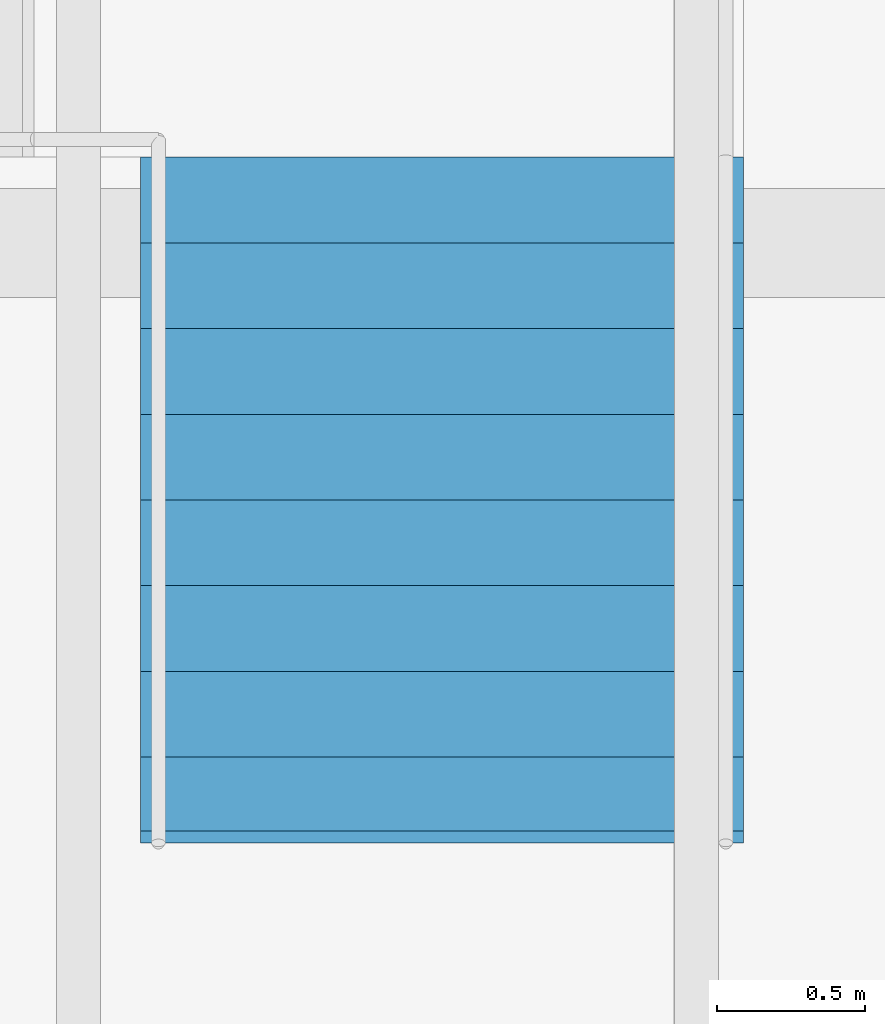
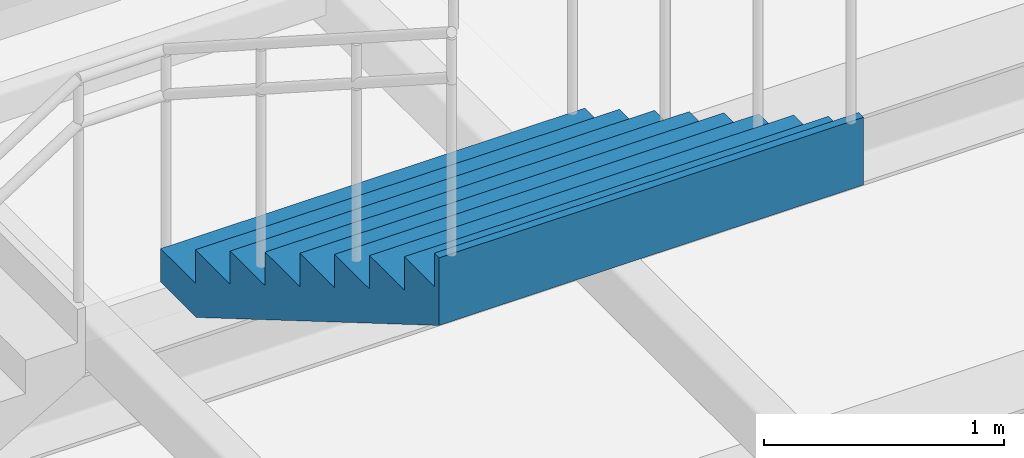
# One storey, part 24 of 32: 1 stair flight, 1 element without a shape of its own.
"""IFC4 building model written with IfcOpenShell, lengths in metres."""

from ifc_helpers import new_model, si_unit, direction, frame, origin, place, context, subcontext, project, spatial, triangles, material, type_object, element, aggregate, save


model = new_model("IFC4")

# Units and contexts
model_context = context("Model", 3, precision=1e-05, world=origin(), true_north=direction((0.0, 1.0)))
body_context = subcontext(model_context, "Body", "Model", "MODEL_VIEW")
ifc_project = project(units=[si_unit("LENGTHUNIT", "METRE"), si_unit("AREAUNIT", "SQUARE_METRE"), si_unit("VOLUMEUNIT", "CUBIC_METRE"), si_unit("PLANEANGLEUNIT", "RADIAN"), si_unit("MASSUNIT", "GRAM", prefix="KILO")], contexts=[model_context])

# Site, building, storey
site_placement = place(None, origin())
site = spatial("IfcSite", under=ifc_project, at=site_placement, CompositionType="ELEMENT")
building_placement = place(site_placement, origin())
building = spatial("IfcBuilding", under=site, at=building_placement, Name="Sillaruma Civic Art Gallery", CompositionType="ELEMENT")
storey_placement = place(building_placement, frame((0.0, 0.0, -4.590087890625)))
storey = spatial("IfcBuildingStorey", under=building, at=storey_placement, Name="B01", CompositionType="ELEMENT", Elevation=-4.590087890625)

# Stair, stair flight
ifc_material = material(Name="Concrete H35 (35 MPa)", Category="concrete")
stair_type = type_object("IfcStairType", Name="STR-3F-27", PredefinedType="TWO_QUARTER_TURN_STAIR", material=ifc_material)
stair_placement = place(storey_placement, origin())
stair = element("IfcStair", 1, at=stair_placement, inside=storey, type_object=stair_type, Name="Monumental Gallery Feature Stair ST-G01 (B01)", PredefinedType="TWO_QUARTER_TURN_STAIR")
stair_flight_type = type_object("IfcStairFlightType", Name="SFL-STR-9", PredefinedType="STRAIGHT", material=ifc_material)
stair_flight_placement = place(storey_placement, frame((43.93994140625, 112.9599609375, 3.06005859375), z_axis=(0.0, 0.0, 1.0), x_axis=(0.0, -1.0, 0.0)))
stair_flight = element("IfcStairFlight", 2, at=stair_flight_placement, type_object=stair_flight_type, Name="ST-G01 flight 3", NumberOfRisers=9, NumberOfTreads=8, PredefinedType="STRAIGHT", RiserHeight=0.17, TreadLength=0.29, context=body_context, shape_type="Tessellation", body=[
    triangles([(0.0, -1.02001953125, 0.0), (0.29, -1.02001953125, 0.0), (0.296482, -1.02001953125, 0.0), (0.58, -1.02001953125, 0.1662), (0.87, -1.02001953125, 0.3362), (1.16, -1.02001953125, 0.5062), (1.45, -1.02001953125, 0.6762), (1.74, -1.02001953125, 0.8462), (2.03, -1.02001953125, 1.0162), (2.280068, -1.02001953125, 1.162792), (2.320068, -1.02001953125, 1.18624), (2.320068, -1.02001953125, 1.53), (2.280068, -1.02001953125, 1.53), (2.280068, -1.02001953125, 1.36), (2.03, -1.02001953125, 1.36), (2.03, -1.02001953125, 1.19), (1.74, -1.02001953125, 1.19), (1.74, -1.02001953125, 1.02), (1.45, -1.02001953125, 1.02), (1.45, -1.02001953125, 0.85), (1.16, -1.02001953125, 0.85), (1.16, -1.02001953125, 0.68), (0.87, -1.02001953125, 0.68), (0.87, -1.02001953125, 0.51), (0.58, -1.02001953125, 0.51), (0.58, -1.02001953125, 0.34), (0.296482, -1.02001953125, 0.34), (0.29, -1.02001953125, 0.34), (0.29, -1.02001953125, 0.17), (0.0, -1.02001953125, 0.17), (0.0, -0.05, 0.0), (0.29, -0.05, 0.0), (0.296482, -0.05, 0.0), (0.58, -0.05, 0.1662), (0.87, -0.05, 0.3362), (1.16, -0.05, 0.5062), (1.45, -0.05, 0.6762), (1.74, -0.05, 0.8462), (2.03, -0.05, 1.0162), (2.280068, -0.05, 1.162792), (2.320068, -0.05, 1.18624), (2.320068, -0.05, 1.53), (2.280068, -0.05, 1.53), (2.280068, -0.05, 1.36), (2.03, -0.05, 1.36), (2.03, -0.05, 1.19), (1.74, -0.05, 1.19), (1.74, -0.05, 1.02), (1.45, -0.05, 1.02), (1.45, -0.05, 0.85), (1.16, -0.05, 0.85), (1.16, -0.05, 0.68), (0.87, -0.05, 0.68), (0.87, -0.05, 0.51), (0.58, -0.05, 0.51), (0.58, -0.05, 0.34), (0.296482, -0.05, 0.34), (0.29, -0.05, 0.34), (0.29, -0.05, 0.17), (0.0, -0.05, 0.17), (0.0, -0.0375, 0.0), (0.29, -0.0375, 0.0), (0.296482, -0.0375, 0.0), (0.58, -0.0375, 0.1662), (0.87, -0.0375, 0.3362), (1.16, -0.0375, 0.5062), (1.45, -0.0375, 0.6762), (1.74, -0.0375, 0.8462), (2.03, -0.0375, 1.0162), (2.280068, -0.0375, 1.162792), (2.320068, -0.0375, 1.18624), (2.320068, -0.0375, 1.53), (2.280068, -0.0375, 1.53), (2.280068, -0.0375, 1.36), (2.03, -0.0375, 1.36), (2.03, -0.0375, 1.19), (1.74, -0.0375, 1.19), (1.74, -0.0375, 1.02), (1.45, -0.0375, 1.02), (1.45, -0.0375, 0.85), (1.16, -0.0375, 0.85), (1.16, -0.0375, 0.68), (0.87, -0.0375, 0.68), (0.87, -0.0375, 0.51), (0.58, -0.0375, 0.51), (0.58, -0.0375, 0.34), (0.296482, -0.0375, 0.34), (0.29, -0.0375, 0.34), (0.29, -0.0375, 0.17), (0.0, -0.0375, 0.17), (0.0, -0.025, 0.0), (0.29, -0.025, 0.0), (0.296482, -0.025, 0.0), (0.58, -0.025, 0.1662), (0.87, -0.025, 0.3362), (1.16, -0.025, 0.5062), (1.45, -0.025, 0.6762), (1.74, -0.025, 0.8462), (2.03, -0.025, 1.0162), (2.280068, -0.025, 1.162792), (2.320068, -0.025, 1.18624), (2.320068, -0.025, 1.53), (2.280068, -0.025, 1.53), (2.280068, -0.025, 1.36), (2.03, -0.025, 1.36), (2.03, -0.025, 1.19), (1.74, -0.025, 1.19), (1.74, -0.025, 1.02), (1.45, -0.025, 1.02), (1.45, -0.025, 0.85), (1.16, -0.025, 0.85), (1.16, -0.025, 0.68), (0.87, -0.025, 0.68), (0.87, -0.025, 0.51), (0.58, -0.025, 0.51), (0.58, -0.025, 0.34), (0.296482, -0.025, 0.34), (0.29, -0.025, 0.34), (0.29, -0.025, 0.17), (0.0, -0.025, 0.17), (0.0, -0.0125, 0.0), (0.29, -0.0125, 0.0), (0.296482, -0.0125, 0.0), (0.58, -0.0125, 0.1662), (0.87, -0.0125, 0.3362), (1.16, -0.0125, 0.5062), (1.45, -0.0125, 0.6762), (1.74, -0.0125, 0.8462), (2.03, -0.0125, 1.0162), (2.280068, -0.0125, 1.162792), (2.320068, -0.0125, 1.18624), (2.320068, -0.0125, 1.53), (2.280068, -0.0125, 1.53), (2.280068, -0.0125, 1.36), (2.03, -0.0125, 1.36), (2.03, -0.0125, 1.19), (1.74, -0.0125, 1.19), (1.74, -0.0125, 1.02), (1.45, -0.0125, 1.02), (1.45, -0.0125, 0.85), (1.16, -0.0125, 0.85), (1.16, -0.0125, 0.68), (0.87, -0.0125, 0.68), (0.87, -0.0125, 0.51), (0.58, -0.0125, 0.51), (0.58, -0.0125, 0.34), (0.296482, -0.0125, 0.34), (0.29, -0.0125, 0.34), (0.29, -0.0125, 0.17), (0.0, -0.0125, 0.17), (0.0, 0.0, 0.0), (0.29, 0.0, 0.0), (0.296482, 0.0, 0.0), (0.58, 0.0, 0.1662), (0.87, 0.0, 0.3362), (1.16, 0.0, 0.5062), (1.45, 0.0, 0.6762), (1.74, 0.0, 0.8462), (2.03, 0.0, 1.0162), (2.280068, 0.0, 1.162792), (2.320068, 0.0, 1.18624), (2.320068, 0.0, 1.53), (2.280068, 0.0, 1.53), (2.280068, 0.0, 1.36), (2.03, 0.0, 1.36), (2.03, 0.0, 1.19), (1.74, 0.0, 1.19), (1.74, 0.0, 1.02), (1.45, 0.0, 1.02), (1.45, 0.0, 0.85), (1.16, 0.0, 0.85), (1.16, 0.0, 0.68), (0.87, 0.0, 0.68), (0.87, 0.0, 0.51), (0.58, 0.0, 0.51), (0.58, 0.0, 0.34), (0.296482, 0.0, 0.34), (0.29, 0.0, 0.34), (0.29, 0.0, 0.17), (0.0, 0.0, 0.17), (0.0, 0.0125, 0.0), (0.29, 0.0125, 0.0), (0.296482, 0.0125, 0.0), (0.58, 0.0125, 0.1662), (0.87, 0.0125, 0.3362), (1.16, 0.0125, 0.5062), (1.45, 0.0125, 0.6762), (1.74, 0.0125, 0.8462), (2.03, 0.0125, 1.0162), (2.280068, 0.0125, 1.162792), (2.320068, 0.0125, 1.18624), (2.320068, 0.0125, 1.53), (2.280068, 0.0125, 1.53), (2.280068, 0.0125, 1.36), (2.03, 0.0125, 1.36), (2.03, 0.0125, 1.19), (1.74, 0.0125, 1.19), (1.74, 0.0125, 1.02), (1.45, 0.0125, 1.02), (1.45, 0.0125, 0.85), (1.16, 0.0125, 0.85), (1.16, 0.0125, 0.68), (0.87, 0.0125, 0.68), (0.87, 0.0125, 0.51), (0.58, 0.0125, 0.51), (0.58, 0.0125, 0.34), (0.296482, 0.0125, 0.34), (0.29, 0.0125, 0.34), (0.29, 0.0125, 0.17), (0.0, 0.0125, 0.17), (0.0, 0.025, 0.0), (0.29, 0.025, 0.0), (0.296482, 0.025, 0.0), (0.58, 0.025, 0.1662), (0.87, 0.025, 0.3362), (1.16, 0.025, 0.5062), (1.45, 0.025, 0.6762), (1.74, 0.025, 0.8462), (2.03, 0.025, 1.0162), (2.280068, 0.025, 1.162792), (2.320068, 0.025, 1.18624), (2.320068, 0.025, 1.53), (2.280068, 0.025, 1.53), (2.280068, 0.025, 1.36), (2.03, 0.025, 1.36), (2.03, 0.025, 1.19), (1.74, 0.025, 1.19), (1.74, 0.025, 1.02), (1.45, 0.025, 1.02), (1.45, 0.025, 0.85), (1.16, 0.025, 0.85), (1.16, 0.025, 0.68), (0.87, 0.025, 0.68), (0.87, 0.025, 0.51), (0.58, 0.025, 0.51), (0.58, 0.025, 0.34), (0.296482, 0.025, 0.34), (0.29, 0.025, 0.34), (0.29, 0.025, 0.17), (0.0, 0.025, 0.17), (0.0, 0.0375, 0.0), (0.29, 0.0375, 0.0), (0.296482, 0.0375, 0.0), (0.58, 0.0375, 0.1662), (0.87, 0.0375, 0.3362), (1.16, 0.0375, 0.5062), (1.45, 0.0375, 0.6762), (1.74, 0.0375, 0.8462), (2.03, 0.0375, 1.0162), (2.280068, 0.0375, 1.162792), (2.320068, 0.0375, 1.18624), (2.320068, 0.0375, 1.53), (2.280068, 0.0375, 1.53), (2.280068, 0.0375, 1.36), (2.03, 0.0375, 1.36), (2.03, 0.0375, 1.19), (1.74, 0.0375, 1.19), (1.74, 0.0375, 1.02), (1.45, 0.0375, 1.02), (1.45, 0.0375, 0.85), (1.16, 0.0375, 0.85), (1.16, 0.0375, 0.68), (0.87, 0.0375, 0.68), (0.87, 0.0375, 0.51), (0.58, 0.0375, 0.51), (0.58, 0.0375, 0.34), (0.296482, 0.0375, 0.34), (0.29, 0.0375, 0.34), (0.29, 0.0375, 0.17), (0.0, 0.0375, 0.17), (0.0, 0.05, 0.0), (0.29, 0.05, 0.0), (0.296482, 0.05, 0.0), (0.58, 0.05, 0.1662), (0.87, 0.05, 0.3362), (1.16, 0.05, 0.5062), (1.45, 0.05, 0.6762), (1.74, 0.05, 0.8462), (2.03, 0.05, 1.0162), (2.280068, 0.05, 1.162792), (2.320068, 0.05, 1.18624), (2.320068, 0.05, 1.53), (2.280068, 0.05, 1.53), (2.280068, 0.05, 1.36), (2.03, 0.05, 1.36), (2.03, 0.05, 1.19), (1.74, 0.05, 1.19), (1.74, 0.05, 1.02), (1.45, 0.05, 1.02), (1.45, 0.05, 0.85), (1.16, 0.05, 0.85), (1.16, 0.05, 0.68), (0.87, 0.05, 0.68), (0.87, 0.05, 0.51), (0.58, 0.05, 0.51), (0.58, 0.05, 0.34), (0.296482, 0.05, 0.34), (0.29, 0.05, 0.34), (0.29, 0.05, 0.17), (0.0, 0.05, 0.17), (0.0, 1.02001953125, 0.0), (0.29, 1.02001953125, 0.0), (0.296482, 1.02001953125, 0.0), (0.58, 1.02001953125, 0.1662), (0.87, 1.02001953125, 0.3362), (1.16, 1.02001953125, 0.5062), (1.45, 1.02001953125, 0.6762), (1.74, 1.02001953125, 0.8462), (2.03, 1.02001953125, 1.0162), (2.280068, 1.02001953125, 1.162792), (2.320068, 1.02001953125, 1.18624), (2.320068, 1.02001953125, 1.53), (2.280068, 1.02001953125, 1.53), (2.280068, 1.02001953125, 1.36), (2.03, 1.02001953125, 1.36), (2.03, 1.02001953125, 1.19), (1.74, 1.02001953125, 1.19), (1.74, 1.02001953125, 1.02), (1.45, 1.02001953125, 1.02), (1.45, 1.02001953125, 0.85), (1.16, 1.02001953125, 0.85), (1.16, 1.02001953125, 0.68), (0.87, 1.02001953125, 0.68), (0.87, 1.02001953125, 0.51), (0.58, 1.02001953125, 0.51), (0.58, 1.02001953125, 0.34), (0.296482, 1.02001953125, 0.34), (0.29, 1.02001953125, 0.34), (0.29, 1.02001953125, 0.17), (0.0, 1.02001953125, 0.17)], [[1, 2, 29], [1, 29, 30], [2, 3, 27], [2, 27, 29], [29, 27, 28], [3, 4, 26], [3, 26, 27], [4, 5, 24], [4, 24, 26], [26, 24, 25], [5, 6, 22], [5, 22, 24], [24, 22, 23], [6, 7, 20], [6, 20, 22], [22, 20, 21], [7, 8, 18], [7, 18, 20], [20, 18, 19], [8, 9, 16], [8, 16, 18], [18, 16, 17], [9, 10, 14], [9, 14, 16], [16, 14, 15], [10, 11, 12], [10, 12, 14], [14, 12, 13], [329, 302, 301], [330, 329, 301], [327, 303, 302], [329, 327, 302], [328, 327, 329], [326, 304, 303], [327, 326, 303], [324, 305, 304], [326, 324, 304], [325, 324, 326], [322, 306, 305], [324, 322, 305], [323, 322, 324], [320, 307, 306], [322, 320, 306], [321, 320, 322], [318, 308, 307], [320, 318, 307], [319, 318, 320], [316, 309, 308], [318, 316, 308], [317, 316, 318], [314, 310, 309], [316, 314, 309], [315, 314, 316], [312, 311, 310], [314, 312, 310], [313, 312, 314], [2, 1, 31], [2, 31, 32], [3, 2, 32], [3, 32, 33], [4, 3, 33], [4, 33, 34], [5, 4, 34], [5, 34, 35], [6, 5, 35], [6, 35, 36], [7, 6, 36], [7, 36, 37], [8, 7, 37], [8, 37, 38], [9, 8, 38], [9, 38, 39], [10, 9, 39], [10, 39, 40], [11, 10, 40], [11, 40, 41], [12, 11, 41], [12, 41, 42], [13, 12, 42], [13, 42, 43], [14, 13, 43], [14, 43, 44], [15, 14, 44], [15, 44, 45], [16, 15, 45], [16, 45, 46], [17, 16, 46], [17, 46, 47], [18, 17, 47], [18, 47, 48], [19, 18, 48], [19, 48, 49], [20, 19, 49], [20, 49, 50], [21, 20, 50], [21, 50, 51], [22, 21, 51], [22, 51, 52], [23, 22, 52], [23, 52, 53], [24, 23, 53], [24, 53, 54], [25, 24, 54], [25, 54, 55], [26, 25, 55], [26, 55, 56], [27, 26, 56], [27, 56, 57], [28, 27, 57], [28, 57, 58], [29, 28, 58], [29, 58, 59], [30, 29, 59], [30, 59, 60], [1, 30, 60], [1, 60, 31], [32, 31, 61], [32, 61, 62], [33, 32, 62], [33, 62, 63], [34, 33, 63], [34, 63, 64], [35, 34, 64], [35, 64, 65], [36, 35, 65], [36, 65, 66], [37, 36, 66], [37, 66, 67], [38, 37, 67], [38, 67, 68], [39, 38, 68], [39, 68, 69], [40, 39, 69], [40, 69, 70], [41, 40, 70], [41, 70, 71], [42, 41, 71], [42, 71, 72], [43, 42, 72], [43, 72, 73], [44, 43, 73], [44, 73, 74], [45, 44, 74], [45, 74, 75], [46, 45, 75], [46, 75, 76], [47, 46, 76], [47, 76, 77], [48, 47, 77], [48, 77, 78], [49, 48, 78], [49, 78, 79], [50, 49, 79], [50, 79, 80], [51, 50, 80], [51, 80, 81], [52, 51, 81], [52, 81, 82], [53, 52, 82], [53, 82, 83], [54, 53, 83], [54, 83, 84], [55, 54, 84], [55, 84, 85], [56, 55, 85], [56, 85, 86], [57, 56, 86], [57, 86, 87], [58, 57, 87], [58, 87, 88], [59, 58, 88], [59, 88, 89], [60, 59, 89], [60, 89, 90], [31, 60, 90], [31, 90, 61], [62, 61, 91], [62, 91, 92], [63, 62, 92], [63, 92, 93], [64, 63, 93], [64, 93, 94], [65, 64, 94], [65, 94, 95], [66, 65, 95], [66, 95, 96], [67, 66, 96], [67, 96, 97], [68, 67, 97], [68, 97, 98], [69, 68, 98], [69, 98, 99], [70, 69, 99], [70, 99, 100], [71, 70, 100], [71, 100, 101], [72, 71, 101], [72, 101, 102], [73, 72, 102], [73, 102, 103], [74, 73, 103], [74, 103, 104], [75, 74, 104], [75, 104, 105], [76, 75, 105], [76, 105, 106], [77, 76, 106], [77, 106, 107], [78, 77, 107], [78, 107, 108], [79, 78, 108], [79, 108, 109], [80, 79, 109], [80, 109, 110], [81, 80, 110], [81, 110, 111], [82, 81, 111], [82, 111, 112], [83, 82, 112], [83, 112, 113], [84, 83, 113], [84, 113, 114], [85, 84, 114], [85, 114, 115], [86, 85, 115], [86, 115, 116], [87, 86, 116], [87, 116, 117], [88, 87, 117], [88, 117, 118], [89, 88, 118], [89, 118, 119], [90, 89, 119], [90, 119, 120], [61, 90, 120], [61, 120, 91], [92, 91, 121], [92, 121, 122], [93, 92, 122], [93, 122, 123], [94, 93, 123], [94, 123, 124], [95, 94, 124], [95, 124, 125], [96, 95, 125], [96, 125, 126], [97, 96, 126], [97, 126, 127], [98, 97, 127], [98, 127, 128], [99, 98, 128], [99, 128, 129], [100, 99, 129], [100, 129, 130], [101, 100, 130], [101, 130, 131], [102, 101, 131], [102, 131, 132], [103, 102, 132], [103, 132, 133], [104, 103, 133], [104, 133, 134], [105, 104, 134], [105, 134, 135], [106, 105, 135], [106, 135, 136], [107, 106, 136], [107, 136, 137], [108, 107, 137], [108, 137, 138], [109, 108, 138], [109, 138, 139], [110, 109, 139], [110, 139, 140], [111, 110, 140], [111, 140, 141], [112, 111, 141], [112, 141, 142], [113, 112, 142], [113, 142, 143], [114, 113, 143], [114, 143, 144], [115, 114, 144], [115, 144, 145], [116, 115, 145], [116, 145, 146], [117, 116, 146], [117, 146, 147], [118, 117, 147], [118, 147, 148], [119, 118, 148], [119, 148, 149], [120, 119, 149], [120, 149, 150], [91, 120, 150], [91, 150, 121], [122, 121, 151], [122, 151, 152], [123, 122, 152], [123, 152, 153], [124, 123, 153], [124, 153, 154], [125, 124, 154], [125, 154, 155], [126, 125, 155], [126, 155, 156], [127, 126, 156], [127, 156, 157], [128, 127, 157], [128, 157, 158], [129, 128, 158], [129, 158, 159], [130, 129, 159], [130, 159, 160], [131, 130, 160], [131, 160, 161], [132, 131, 161], [132, 161, 162], [133, 132, 162], [133, 162, 163], [134, 133, 163], [134, 163, 164], [135, 134, 164], [135, 164, 165], [136, 135, 165], [136, 165, 166], [137, 136, 166], [137, 166, 167], [138, 137, 167], [138, 167, 168], [139, 138, 168], [139, 168, 169], [140, 139, 169], [140, 169, 170], [141, 140, 170], [141, 170, 171], [142, 141, 171], [142, 171, 172], [143, 142, 172], [143, 172, 173], [144, 143, 173], [144, 173, 174], [145, 144, 174], [145, 174, 175], [146, 145, 175], [146, 175, 176], [147, 146, 176], [147, 176, 177], [148, 147, 177], [148, 177, 178], [149, 148, 178], [149, 178, 179], [150, 149, 179], [150, 179, 180], [121, 150, 180], [121, 180, 151], [152, 151, 181], [152, 181, 182], [153, 152, 182], [153, 182, 183], [154, 153, 183], [154, 183, 184], [155, 154, 184], [155, 184, 185], [156, 155, 185], [156, 185, 186], [157, 156, 186], [157, 186, 187], [158, 157, 187], [158, 187, 188], [159, 158, 188], [159, 188, 189], [160, 159, 189], [160, 189, 190], [161, 160, 190], [161, 190, 191], [162, 161, 191], [162, 191, 192], [163, 162, 192], [163, 192, 193], [164, 163, 193], [164, 193, 194], [165, 164, 194], [165, 194, 195], [166, 165, 195], [166, 195, 196], [167, 166, 196], [167, 196, 197], [168, 167, 197], [168, 197, 198], [169, 168, 198], [169, 198, 199], [170, 169, 199], [170, 199, 200], [171, 170, 200], [171, 200, 201], [172, 171, 201], [172, 201, 202], [173, 172, 202], [173, 202, 203], [174, 173, 203], [174, 203, 204], [175, 174, 204], [175, 204, 205], [176, 175, 205], [176, 205, 206], [177, 176, 206], [177, 206, 207], [178, 177, 207], [178, 207, 208], [179, 178, 208], [179, 208, 209], [180, 179, 209], [180, 209, 210], [151, 180, 210], [151, 210, 181], [182, 181, 211], [182, 211, 212], [183, 182, 212], [183, 212, 213], [184, 183, 213], [184, 213, 214], [185, 184, 214], [185, 214, 215], [186, 185, 215], [186, 215, 216], [187, 186, 216], [187, 216, 217], [188, 187, 217], [188, 217, 218], [189, 188, 218], [189, 218, 219], [190, 189, 219], [190, 219, 220], [191, 190, 220], [191, 220, 221], [192, 191, 221], [192, 221, 222], [193, 192, 222], [193, 222, 223], [194, 193, 223], [194, 223, 224], [195, 194, 224], [195, 224, 225], [196, 195, 225], [196, 225, 226], [197, 196, 226], [197, 226, 227], [198, 197, 227], [198, 227, 228], [199, 198, 228], [199, 228, 229], [200, 199, 229], [200, 229, 230], [201, 200, 230], [201, 230, 231], [202, 201, 231], [202, 231, 232], [203, 202, 232], [203, 232, 233], [204, 203, 233], [204, 233, 234], [205, 204, 234], [205, 234, 235], [206, 205, 235], [206, 235, 236], [207, 206, 236], [207, 236, 237], [208, 207, 237], [208, 237, 238], [209, 208, 238], [209, 238, 239], [210, 209, 239], [210, 239, 240], [181, 210, 240], [181, 240, 211], [212, 211, 241], [212, 241, 242], [213, 212, 242], [213, 242, 243], [214, 213, 243], [214, 243, 244], [215, 214, 244], [215, 244, 245], [216, 215, 245], [216, 245, 246], [217, 216, 246], [217, 246, 247], [218, 217, 247], [218, 247, 248], [219, 218, 248], [219, 248, 249], [220, 219, 249], [220, 249, 250], [221, 220, 250], [221, 250, 251], [222, 221, 251], [222, 251, 252], [223, 222, 252], [223, 252, 253], [224, 223, 253], [224, 253, 254], [225, 224, 254], [225, 254, 255], [226, 225, 255], [226, 255, 256], [227, 226, 256], [227, 256, 257], [228, 227, 257], [228, 257, 258], [229, 228, 258], [229, 258, 259], [230, 229, 259], [230, 259, 260], [231, 230, 260], [231, 260, 261], [232, 231, 261], [232, 261, 262], [233, 232, 262], [233, 262, 263], [234, 233, 263], [234, 263, 264], [235, 234, 264], [235, 264, 265], [236, 235, 265], [236, 265, 266], [237, 236, 266], [237, 266, 267], [238, 237, 267], [238, 267, 268], [239, 238, 268], [239, 268, 269], [240, 239, 269], [240, 269, 270], [211, 240, 270], [211, 270, 241], [242, 241, 271], [242, 271, 272], [243, 242, 272], [243, 272, 273], [244, 243, 273], [244, 273, 274], [245, 244, 274], [245, 274, 275], [246, 245, 275], [246, 275, 276], [247, 246, 276], [247, 276, 277], [248, 247, 277], [248, 277, 278], [249, 248, 278], [249, 278, 279], [250, 249, 279], [250, 279, 280], [251, 250, 280], [251, 280, 281], [252, 251, 281], [252, 281, 282], [253, 252, 282], [253, 282, 283], [254, 253, 283], [254, 283, 284], [255, 254, 284], [255, 284, 285], [256, 255, 285], [256, 285, 286], [257, 256, 286], [257, 286, 287], [258, 257, 287], [258, 287, 288], [259, 258, 288], [259, 288, 289], [260, 259, 289], [260, 289, 290], [261, 260, 290], [261, 290, 291], [262, 261, 291], [262, 291, 292], [263, 262, 292], [263, 292, 293], [264, 263, 293], [264, 293, 294], [265, 264, 294], [265, 294, 295], [266, 265, 295], [266, 295, 296], [267, 266, 296], [267, 296, 297], [268, 267, 297], [268, 297, 298], [269, 268, 298], [269, 298, 299], [270, 269, 299], [270, 299, 300], [241, 270, 300], [241, 300, 271], [272, 271, 301], [272, 301, 302], [273, 272, 302], [273, 302, 303], [274, 273, 303], [274, 303, 304], [275, 274, 304], [275, 304, 305], [276, 275, 305], [276, 305, 306], [277, 276, 306], [277, 306, 307], [278, 277, 307], [278, 307, 308], [279, 278, 308], [279, 308, 309], [280, 279, 309], [280, 309, 310], [281, 280, 310], [281, 310, 311], [282, 281, 311], [282, 311, 312], [283, 282, 312], [283, 312, 313], [284, 283, 313], [284, 313, 314], [285, 284, 314], [285, 314, 315], [286, 285, 315], [286, 315, 316], [287, 286, 316], [287, 316, 317], [288, 287, 317], [288, 317, 318], [289, 288, 318], [289, 318, 319], [290, 289, 319], [290, 319, 320], [291, 290, 320], [291, 320, 321], [292, 291, 321], [292, 321, 322], [293, 292, 322], [293, 322, 323], [294, 293, 323], [294, 323, 324], [295, 294, 324], [295, 324, 325], [296, 295, 325], [296, 325, 326], [297, 296, 326], [297, 326, 327], [298, 297, 327], [298, 327, 328], [299, 298, 328], [299, 328, 329], [300, 299, 329], [300, 329, 330], [271, 300, 330], [271, 330, 301]], closed=True),
])
aggregate(stair, [stair_flight])

save(model, "model.ifc")
